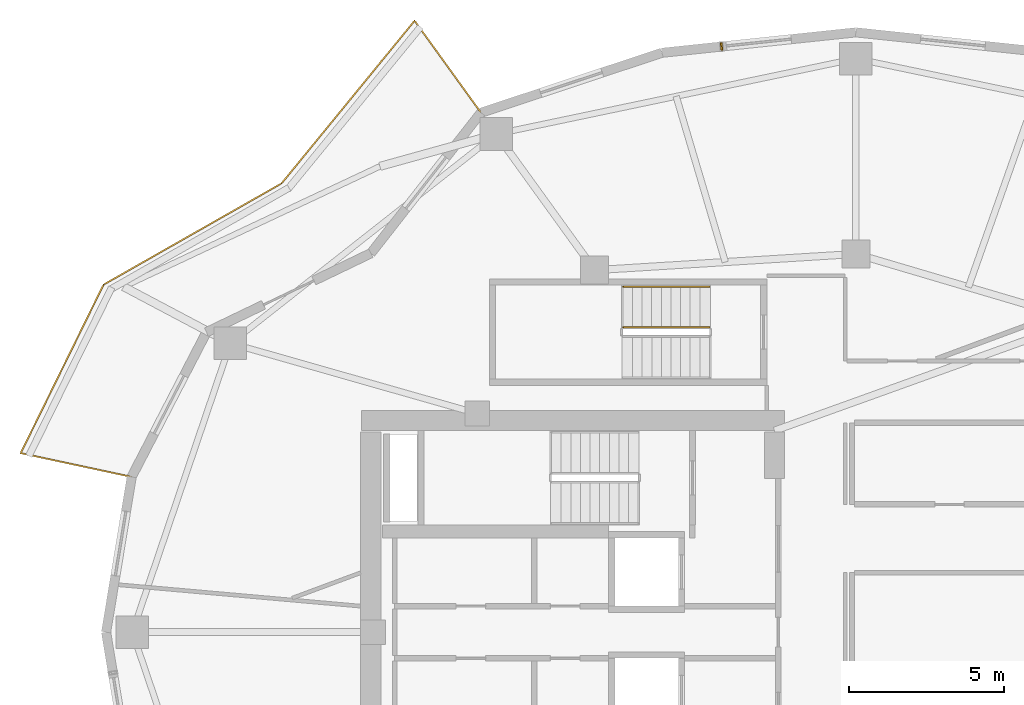
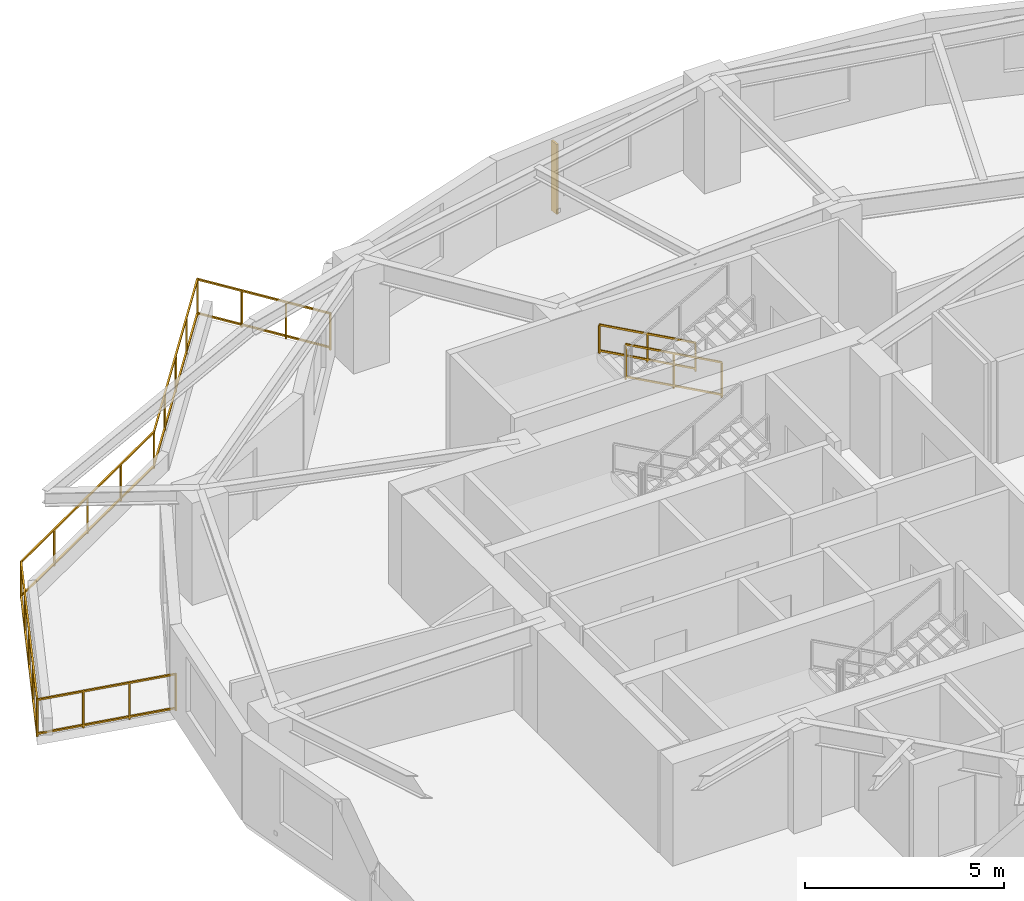
# One storey, part 13 of 14: 3 railings, 1 shading device.
"""IFC4 building model written with IfcOpenShell, lengths in metres."""

from ifc_helpers import new_model, si_unit, direction, frame, origin, origin_2d, place, context, subcontext, project, spatial, rectangle, extrude, material, type_object, element, save


model = new_model("IFC4")

# Units and contexts
model_context = context("Model", 3, precision=1e-05, world=origin(), true_north=direction((0.0, 1.0)))
body_context = subcontext(model_context, "Body", "Model", "MODEL_VIEW")
ifc_project = project(units=[si_unit("LENGTHUNIT", "METRE"), si_unit("AREAUNIT", "SQUARE_METRE"), si_unit("VOLUMEUNIT", "CUBIC_METRE"), si_unit("PLANEANGLEUNIT", "RADIAN"), si_unit("MASSUNIT", "GRAM", prefix="KILO")], contexts=[model_context])

# Site, building, storey
site_placement = place(None, origin())
site = spatial("IfcSite", under=ifc_project, at=site_placement, CompositionType="ELEMENT")
building_placement = place(site_placement, origin())
building = spatial("IfcBuilding", under=site, at=building_placement, Name="Kolvaren Gate Tower and Convention Centre", CompositionType="ELEMENT")
storey_placement = place(building_placement, frame((0.0, 0.0, 132.5)))
storey = spatial("IfcBuildingStorey", under=building, at=storey_placement, Name="L33", CompositionType="ELEMENT", Elevation=132.5)

# Railings
ifc_material_1 = material(Name="Brushed Stainless Steel Grade 316L", Category="steel")
railing_type_1 = type_object("IfcRailingType", Name="ARCH-RL-GUARD-1150", PredefinedType="GUARDRAIL", material=ifc_material_1)
railing_1_placement = place(storey_placement, frame((25.39990234375, 36.830078125, 0.169921875)))
element("IfcRailing", 1, at=railing_1_placement, inside=storey, type_object=railing_type_1, Name="L33 ST-T3 stair guard 1", PredefinedType="GUARDRAIL", context=body_context, shape_type="SweptSolid", body=[
    extrude(rectangle(XDim=0.048095703125, YDim=0.048095703125, at=origin_2d()), frame((0.0, 0.0, 1.076171875), z_axis=(-0.8767936245, 0.0, 0.480866863109), x_axis=(0.0, -1.0, 0.0)), (0.0, 0.0, 1.0), 3.181884765625),
    extrude(rectangle(XDim=0.048095703125, YDim=0.048095703125, at=origin_2d()), frame((0.0, 0.0, 0.083984375), z_axis=(-0.8767936245, 0.0, 0.480866863109), x_axis=(0.0, -1.0, 0.0)), (0.0, 0.0, 1.0), 3.181884765625),
    extrude(rectangle(XDim=0.0419921875, YDim=0.0419921875, at=origin_2d()), origin(), (0.0, 0.0, 1.0), 1.050048828125),
    extrude(rectangle(XDim=0.0419921875, YDim=0.0419921875, at=origin_2d()), frame((-2.789794921875, 0.0, 1.530029296875)), (0.0, 0.0, 1.0), 1.050048828125),
    extrude(rectangle(XDim=0.0419921875, YDim=0.0419921875, at=origin_2d()), frame((-1.39501953125, 0.0, 0.76513671875)), (0.0, 0.0, 1.0), 1.050048828125),
])
railing_2_placement = place(storey_placement, frame((18.03125, 43.757568359375, 0.0)))
element("IfcRailing", 2, at=railing_2_placement, inside=storey, type_object=railing_type_1, Name="Tower L33 Terrace Perimeter Guardrail GR-1", PredefinedType="GUARDRAIL", context=body_context, shape_type="SweptSolid", body=[
    extrude(rectangle(XDim=0.048095703125, YDim=0.048095703125, at=origin_2d()), frame((-0.016357421875, 0.022705078125, 1.1259765625), z_axis=(-0.585212870465, 0.810879705161, 0.0), x_axis=(-0.810879705161, -0.585212870465, 0.0)), (0.0, 0.0, 1.0), 3.603759765625),
    extrude(rectangle(XDim=0.048095703125, YDim=0.048095703125, at=origin_2d()), frame((-0.016357421875, 0.022705078125, 0.083984375), z_axis=(-0.585212870465, 0.810879705161, 0.0), x_axis=(-0.810879705161, -0.585212870465, 0.0)), (0.0, 0.0, 1.0), 3.603759765625),
    extrude(rectangle(XDim=0.048095703125, YDim=0.048095703125, at=origin_2d()), frame((-2.15966796875, 2.946044921875, 1.1259765625), z_axis=(-0.633002467947, -0.77414977593, 0.0), x_axis=(0.77414977593, -0.633002467947, 0.0)), (0.0, 0.0, 1.0), 6.724365234375),
    extrude(rectangle(XDim=0.048095703125, YDim=0.048095703125, at=origin_2d()), frame((-2.15966796875, 2.946044921875, 0.083984375), z_axis=(-0.633002467947, -0.77414977593, 0.0), x_axis=(0.77414977593, -0.633002467947, 0.0)), (0.0, 0.0, 1.0), 6.724365234375),
    extrude(rectangle(XDim=0.048095703125, YDim=0.048095703125, at=origin_2d()), frame((-6.458251953125, -2.295166015625, 1.1259765625), z_axis=(-0.869196694318, -0.494466486819, 0.0), x_axis=(0.494466486819, -0.869196694318, 0.0)), (0.0, 0.0, 1.0), 6.55029296875),
    extrude(rectangle(XDim=0.048095703125, YDim=0.048095703125, at=origin_2d()), frame((-6.458251953125, -2.295166015625, 0.083984375), z_axis=(-0.869196694318, -0.494466486819, 0.0), x_axis=(0.494466486819, -0.869196694318, 0.0)), (0.0, 0.0, 1.0), 6.55029296875),
    extrude(rectangle(XDim=0.048095703125, YDim=0.048095703125, at=origin_2d()), frame((-12.1884765625, -5.572998046875, 1.1259765625), z_axis=(-0.441237167293, -0.897390529368, 0.0), x_axis=(0.897390529368, -0.441237167293, 0.0)), (0.0, 0.0, 1.0), 5.999755859375),
    extrude(rectangle(XDim=0.048095703125, YDim=0.048095703125, at=origin_2d()), frame((-12.1884765625, -5.572998046875, 0.083984375), z_axis=(-0.441237167293, -0.897390529368, 0.0), x_axis=(0.897390529368, -0.441237167293, 0.0)), (0.0, 0.0, 1.0), 5.999755859375),
    extrude(rectangle(XDim=0.048095703125, YDim=0.048095703125, at=origin_2d()), frame((-14.82080078125, -10.98828125, 1.1259765625), z_axis=(0.977788745232, -0.209592866525, 0.0), x_axis=(0.209592866525, 0.977788745232, 0.0)), (0.0, 0.0, 1.0), 3.603759765625),
    extrude(rectangle(XDim=0.048095703125, YDim=0.048095703125, at=origin_2d()), frame((-14.82080078125, -10.98828125, 0.083984375), z_axis=(0.977788745232, -0.209592866525, 0.0), x_axis=(0.209592866525, 0.977788745232, 0.0)), (0.0, 0.0, 1.0), 3.603759765625),
    extrude(rectangle(XDim=0.0419921875, YDim=0.0419921875, at=origin_2d()), origin(), (0.0, 0.0, 1.0), 1.14990234375),
    extrude(rectangle(XDim=0.0419921875, YDim=0.0419921875, at=origin_2d()), frame((-2.141845703125, 2.9677734375, 0.0)), (0.0, 0.0, 1.0), 1.14990234375),
    extrude(rectangle(XDim=0.0419921875, YDim=0.0419921875, at=origin_2d()), frame((-0.7138671875, 0.9892578125, 0.0)), (0.0, 0.0, 1.0), 1.099853515625),
    extrude(rectangle(XDim=0.0419921875, YDim=0.0419921875, at=origin_2d()), frame((-1.427978515625, 1.978515625, 0.0)), (0.0, 0.0, 1.0), 1.099853515625),
    extrude(rectangle(XDim=0.0419921875, YDim=0.0419921875, at=origin_2d()), frame((-6.433837890625, -2.28125, 0.0)), (0.0, 0.0, 1.0), 1.14990234375),
    extrude(rectangle(XDim=0.0419921875, YDim=0.0419921875, at=origin_2d()), frame((-3.21484375, 1.655517578125, 0.0)), (0.0, 0.0, 1.0), 1.099853515625),
    extrude(rectangle(XDim=0.0419921875, YDim=0.0419921875, at=origin_2d()), frame((-4.287841796875, 0.34326171875, 0.0)), (0.0, 0.0, 1.0), 1.099853515625),
    extrude(rectangle(XDim=0.0419921875, YDim=0.0419921875, at=origin_2d()), frame((-5.36083984375, -0.968994140625, 0.0)), (0.0, 0.0, 1.0), 1.099853515625),
    extrude(rectangle(XDim=0.0419921875, YDim=0.0419921875, at=origin_2d()), frame((-12.176025390625, -5.5478515625, 0.0)), (0.0, 0.0, 1.0), 1.14990234375),
    extrude(rectangle(XDim=0.0419921875, YDim=0.0419921875, at=origin_2d()), frame((-7.869384765625, -3.097900390625, 0.0)), (0.0, 0.0, 1.0), 1.099853515625),
    extrude(rectangle(XDim=0.0419921875, YDim=0.0419921875, at=origin_2d()), frame((-9.304931640625, -3.91455078125, 0.0)), (0.0, 0.0, 1.0), 1.099853515625),
    extrude(rectangle(XDim=0.0419921875, YDim=0.0419921875, at=origin_2d()), frame((-10.740478515625, -4.731201171875, 0.0)), (0.0, 0.0, 1.0), 1.099853515625),
    extrude(rectangle(XDim=0.0419921875, YDim=0.0419921875, at=origin_2d()), frame((-14.84814453125, -10.982421875, 0.0)), (0.0, 0.0, 1.0), 1.14990234375),
    extrude(rectangle(XDim=0.0419921875, YDim=0.0419921875, at=origin_2d()), frame((-12.843994140625, -6.906494140625, 0.0)), (0.0, 0.0, 1.0), 1.099853515625),
    extrude(rectangle(XDim=0.0419921875, YDim=0.0419921875, at=origin_2d()), frame((-13.51220703125, -8.26513671875, 0.0)), (0.0, 0.0, 1.0), 1.099853515625),
    extrude(rectangle(XDim=0.0419921875, YDim=0.0419921875, at=origin_2d()), frame((-14.18017578125, -9.623779296875, 0.0)), (0.0, 0.0, 1.0), 1.099853515625),
    extrude(rectangle(XDim=0.0419921875, YDim=0.0419921875, at=origin_2d()), frame((-11.26953125, -11.74951171875, 0.0)), (0.0, 0.0, 1.0), 1.14990234375),
    extrude(rectangle(XDim=0.0419921875, YDim=0.0419921875, at=origin_2d()), frame((-13.6552734375, -11.238037109375, 0.0)), (0.0, 0.0, 1.0), 1.099853515625),
    extrude(rectangle(XDim=0.0419921875, YDim=0.0419921875, at=origin_2d()), frame((-12.46240234375, -11.493896484375, 0.0)), (0.0, 0.0, 1.0), 1.099853515625),
])
railing_type_2 = type_object("IfcRailingType", Name="ARCH-RL-HANDRAIL-920", PredefinedType="HANDRAIL", material=ifc_material_1)
railing_3_placement = place(storey_placement, frame((25.39990234375, 38.14990234375, 0.169921875)))
element("IfcRailing", 3, at=railing_3_placement, inside=storey, type_object=railing_type_2, Name="L33 ST-T3 stair handrail 1", PredefinedType="HANDRAIL", context=body_context, shape_type="SweptSolid", body=[
    extrude(rectangle(XDim=0.048095703125, YDim=0.048095703125, at=origin_2d()), frame((0.0, 0.0, 0.8759765625), z_axis=(-0.8767936245, 0.0, 0.480866863109), x_axis=(0.0, -1.0, 0.0)), (0.0, 0.0, 1.0), 3.181884765625),
    extrude(rectangle(XDim=0.048095703125, YDim=0.048095703125, at=origin_2d()), frame((0.0, 0.0, 0.083984375), z_axis=(-0.8767936245, 0.0, 0.480866863109), x_axis=(0.0, -1.0, 0.0)), (0.0, 0.0, 1.0), 3.181884765625),
    extrude(rectangle(XDim=0.0419921875, YDim=0.0419921875, at=origin_2d()), origin(), (0.0, 0.0, 1.0), 0.849853515625),
    extrude(rectangle(XDim=0.0419921875, YDim=0.0419921875, at=origin_2d()), frame((-2.789794921875, 0.0, 1.530029296875)), (0.0, 0.0, 1.0), 0.849853515625),
    extrude(rectangle(XDim=0.0419921875, YDim=0.0419921875, at=origin_2d()), frame((-1.39501953125, 0.0, 0.76513671875)), (0.0, 0.0, 1.0), 0.849853515625),
])

# Shading device
ifc_material_2 = material(Name="Kiln-Fired Bogota Terracotta Ceramic Louvre Profile", Category="masonry")
shading_device_type = type_object("IfcShadingDeviceType", Name="ARCH-SHD-FIN-180", PredefinedType="JALOUSIE", material=ifc_material_2)
shading_device_placement = place(storey_placement, frame((25.791015625, 45.8935546875, 0.219970703125), z_axis=(0.0, 0.0, 1.0), x_axis=(0.994499981166, 0.104736753152, 0.0)))
element("IfcShadingDevice", 4, at=shading_device_placement, inside=storey, type_object=shading_device_type, Name="Ceramic Vertical Brise-Soleil Fin FN-L33-06", PredefinedType="JALOUSIE", context=body_context, shape_type="SweptSolid", body=[
    extrude(rectangle(XDim=0.06005859375, YDim=0.239990234375, at=origin_2d()), origin(), (0.0, 0.0, 1.0), 2.14990234375),
])

save(model, "model.ifc")
